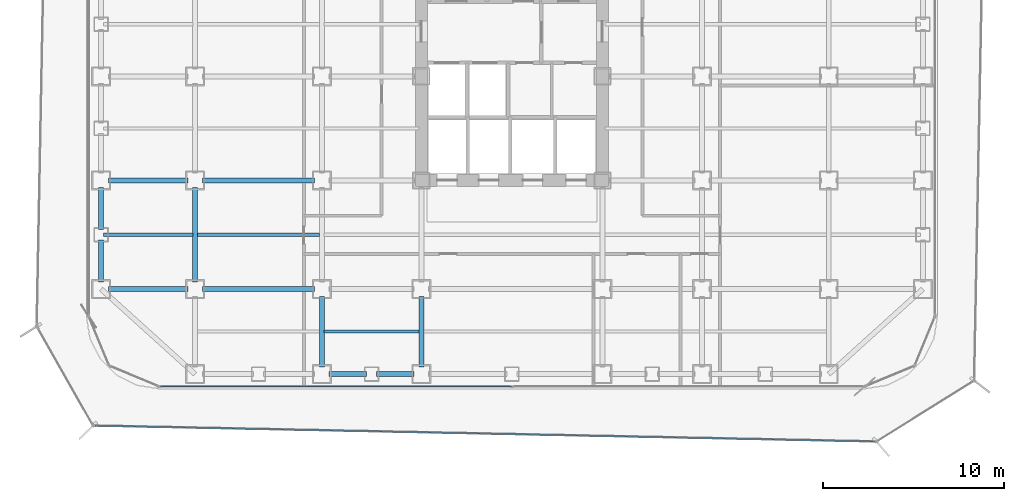
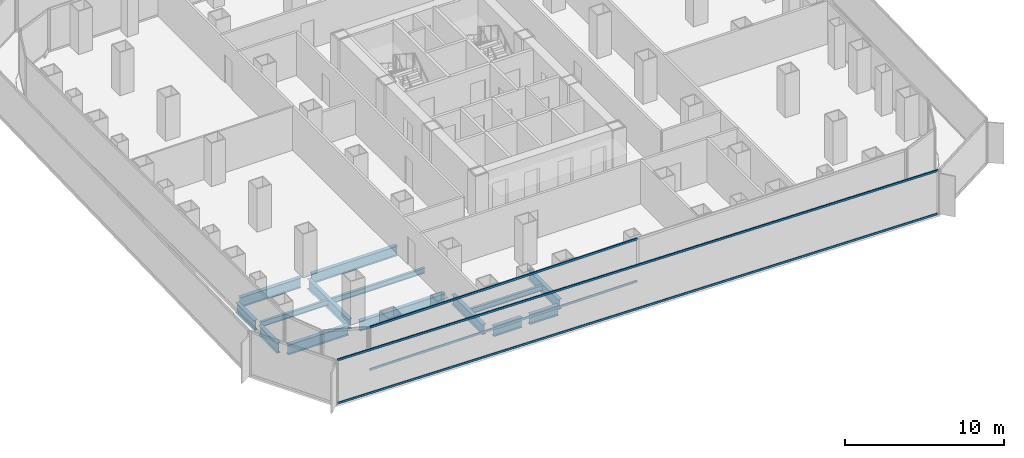
# One storey, part 3 of 21: 14 beams, 4 members, 2 elements without a shape of their own.
"""IFC4 building model written with IfcOpenShell, lengths in metres."""

from ifc_helpers import new_model, si_unit, direction, frame, origin, origin_2d, place, context, subcontext, project, spatial, hollow_rectangle, i_section, extrude, source, transform, mapped, material, layer, layer_set, material_profile, profile_set, type_object, element, aggregate, save


model = new_model("IFC4")

# Units and contexts
model_context = context("Model", 3, precision=1e-05, world=origin(), true_north=direction((0.0, 1.0)))
body_context = subcontext(model_context, "Body", "Model", "MODEL_VIEW")
ifc_project = project(units=[si_unit("LENGTHUNIT", "METRE"), si_unit("AREAUNIT", "SQUARE_METRE"), si_unit("VOLUMEUNIT", "CUBIC_METRE"), si_unit("PLANEANGLEUNIT", "RADIAN"), si_unit("MASSUNIT", "GRAM", prefix="KILO")], contexts=[model_context])

# Site, building, storey
site_placement = place(None, origin())
site = spatial("IfcSite", under=ifc_project, at=site_placement, CompositionType="ELEMENT")
building_placement = place(site_placement, origin())
building = spatial("IfcBuilding", under=site, at=building_placement, Name="Kolveth Station Tower", CompositionType="ELEMENT")
storey_placement = place(building_placement, frame((0.0, 0.0, 62.10009765625)))
storey = spatial("IfcBuildingStorey", under=building, at=storey_placement, Name="L16", CompositionType="ELEMENT", Elevation=62.10009765625)

# Beams
ifc_material_1 = material(Name="Steel S355", Category="steel")
ifc_material_profile_1 = material_profile(ifc_material_1, i_section(OverallWidth=0.26904296875, OverallDepth=0.77490234375, WebThickness=0.01708984375, FlangeThickness=0.0283203125, at=origin_2d()), Name="W760x220")
ifc_profile_set_1 = profile_set([ifc_material_profile_1], Name="Steel S355")
beam_type_1 = type_object("IfcBeamType", Name="Beam_SP1", PredefinedType="SPANDREL", material=ifc_profile_set_1)
shared_shape_1 = source(origin(), body_context, "Body", "SweptSolid", [
    extrude(i_section(OverallWidth=0.26904296875, OverallDepth=0.77490234375, WebThickness=0.01708984375, FlangeThickness=0.0283203125, at=origin_2d()), origin(), (0.0, 0.0, 1.0), 2.070068359375),
])
for number, where, z_axis, x_axis, name in (
    (1, (13.39990234375, 0.800048828125, -0.66748046875), (1.0, 0.0, 0.0), (0.0, 1.0, 0.0), "L16 Perimeter Spandrel BM-L16-PS-3"),
    (2, (16.030029296875, 0.800048828125, -0.66748046875), (1.0, 0.0, 0.0), (0.0, 1.0, 0.0), "L16 Perimeter Spandrel BM-L16-PS-4"),
):
    element("IfcBeam", number, at=place(storey_placement, frame(where, z_axis=z_axis, x_axis=x_axis)), inside=storey, type_object=beam_type_1, Name=name, PredefinedType="SPANDREL", context=body_context, shape_type="MappedRepresentation", body=[
        mapped(shared_shape_1, transform((0.0, 0.0, 0.0), x_axis=(1.0, 0.0, 0.0), y_axis=(0.0, 1.0, 0.0), z_axis=(0.0, 0.0, 1.0), scale=1.0)),
    ])
shared_shape_2 = source(origin(), body_context, "Body", "SweptSolid", [
    extrude(i_section(OverallWidth=0.26904296875, OverallDepth=0.77490234375, WebThickness=0.01708984375, FlangeThickness=0.0283203125, at=origin_2d()), origin(), (0.0, 0.0, 1.0), 2.320068359375),
])
for number, where, z_axis, x_axis, name in (
    (3, (0.800048828125, 5.89990234375, -0.66748046875), (0.0, 1.0, 0.0), (-1.0, 0.0, 0.0), "L16 Perimeter Spandrel BM-L16-PW-1"),
    (4, (0.800048828125, 8.780029296875, -0.66748046875), (0.0, 1.0, 0.0), (-1.0, 0.0, 0.0), "L16 Perimeter Spandrel BM-L16-PW-2"),
):
    element("IfcBeam", number, at=place(storey_placement, frame(where, z_axis=z_axis, x_axis=x_axis)), inside=storey, type_object=beam_type_1, Name=name, PredefinedType="SPANDREL", context=body_context, shape_type="MappedRepresentation", body=[
        mapped(shared_shape_2, transform((0.0, 0.0, 0.0), x_axis=(1.0, 0.0, 0.0), y_axis=(0.0, 1.0, 0.0), z_axis=(0.0, 0.0, 1.0), scale=1.0)),
    ])
ifc_material_profile_2 = material_profile(ifc_material_1, i_section(OverallWidth=0.26708984375, OverallDepth=0.76611328125, WebThickness=0.014892578125, FlangeThickness=0.023681640625, at=origin_2d()), Name="W760x185")
ifc_profile_set_2 = profile_set([ifc_material_profile_2], Name="Steel S355")
beam_type_2 = type_object("IfcBeamType", Name="Beam_B3", PredefinedType="BEAM", material=ifc_profile_set_2)
shared_shape_3 = source(origin(), body_context, "Body", "SweptSolid", [
    extrude(i_section(OverallWidth=0.26708984375, OverallDepth=0.76611328125, WebThickness=0.014892578125, FlangeThickness=0.023681640625, at=origin_2d()), origin(), (0.0, 0.0, 1.0), 4.400146484375),
])
for number, where, z_axis, x_axis, name in (
    (5, (1.199951171875, 5.5, -0.6630859375), (1.0, 0.0, 0.0), (0.0, 1.0, 0.0), "L16 Primary Girder BM-L16-GY55-1"),
    (6, (1.199951171875, 11.5, -0.6630859375), (1.0, 0.0, 0.0), (0.0, 1.0, 0.0), "L16 Primary Girder BM-L16-GY115-1"),
):
    element("IfcBeam", number, at=place(storey_placement, frame(where, z_axis=z_axis, x_axis=x_axis)), inside=storey, type_object=beam_type_2, Name=name, PredefinedType="BEAM", context=body_context, shape_type="MappedRepresentation", body=[
        mapped(shared_shape_3, transform((0.0, 0.0, 0.0), x_axis=(1.0, 0.0, 0.0), y_axis=(0.0, 1.0, 0.0), z_axis=(0.0, 0.0, 1.0), scale=1.0)),
    ])
shared_shape_4 = source(origin(), body_context, "Body", "SweptSolid", [
    extrude(i_section(OverallWidth=0.26708984375, OverallDepth=0.76611328125, WebThickness=0.014892578125, FlangeThickness=0.023681640625, at=origin_2d()), origin(), (0.0, 0.0, 1.0), 6.2001953125),
])
for number, where, z_axis, x_axis, name in (
    (7, (6.39990234375, 5.5, -0.6630859375), (1.0, 0.0, 0.0), (0.0, 1.0, 0.0), "L16 Primary Girder BM-L16-GY55-2"),
    (8, (6.39990234375, 11.5, -0.6630859375), (1.0, 0.0, 0.0), (0.0, 1.0, 0.0), "L16 Primary Girder BM-L16-GY115-2"),
):
    element("IfcBeam", number, at=place(storey_placement, frame(where, z_axis=z_axis, x_axis=x_axis)), inside=storey, type_object=beam_type_2, Name=name, PredefinedType="BEAM", context=body_context, shape_type="MappedRepresentation", body=[
        mapped(shared_shape_4, transform((0.0, 0.0, 0.0), x_axis=(1.0, 0.0, 0.0), y_axis=(0.0, 1.0, 0.0), z_axis=(0.0, 0.0, 1.0), scale=1.0)),
    ])
shared_shape_5 = source(origin(), body_context, "Body", "SweptSolid", [
    extrude(i_section(OverallWidth=0.26708984375, OverallDepth=0.76611328125, WebThickness=0.014892578125, FlangeThickness=0.023681640625, at=origin_2d()), origin(), (0.0, 0.0, 1.0), 3.900146484375),
])
for number, where, z_axis, x_axis, name in (
    (9, (13.0, 1.199951171875, -0.6630859375), (0.0, 1.0, 0.0), (-1.0, 0.0, 0.0), "L16 Primary Girder BM-L16-GX130-1"),
    (10, (18.5, 1.199951171875, -0.6630859375), (0.0, 1.0, 0.0), (-1.0, 0.0, 0.0), "L16 Primary Girder BM-L16-GX185-1"),
):
    element("IfcBeam", number, at=place(storey_placement, frame(where, z_axis=z_axis, x_axis=x_axis)), inside=storey, type_object=beam_type_2, Name=name, PredefinedType="BEAM", context=body_context, shape_type="MappedRepresentation", body=[
        mapped(shared_shape_5, transform((0.0, 0.0, 0.0), x_axis=(1.0, 0.0, 0.0), y_axis=(0.0, 1.0, 0.0), z_axis=(0.0, 0.0, 1.0), scale=1.0)),
    ])
shared_shape_6 = source(origin(), body_context, "Body", "SweptSolid", [
    extrude(i_section(OverallWidth=0.26708984375, OverallDepth=0.76611328125, WebThickness=0.014892578125, FlangeThickness=0.023681640625, at=origin_2d()), origin(), (0.0, 0.0, 1.0), 5.2001953125),
])
beam_1_placement = place(storey_placement, frame((6.0, 5.89990234375, -0.6630859375), z_axis=(0.0, 1.0, 0.0), x_axis=(-1.0, 0.0, 0.0)))
element("IfcBeam", 11, at=beam_1_placement, inside=storey, type_object=beam_type_2, Name="L16 Primary Girder BM-L16-GX60-2", PredefinedType="BEAM", context=body_context, shape_type="MappedRepresentation", body=[
    mapped(shared_shape_6, transform((0.0, 0.0, 0.0), x_axis=(1.0, 0.0, 0.0), y_axis=(0.0, 1.0, 0.0), z_axis=(0.0, 0.0, 1.0), scale=1.0)),
])
ifc_material_profile_3 = material_profile(ifc_material_1, i_section(OverallWidth=0.177978515625, OverallDepth=0.406982421875, WebThickness=0.0078125, FlangeThickness=0.0126953125, at=origin_2d()), Name="W410x60")
ifc_profile_set_3 = profile_set([ifc_material_profile_3], Name="Steel S355")
beam_type_3 = type_object("IfcBeamType", Name="Beam_J1", PredefinedType="JOIST", material=ifc_profile_set_3)
shared_shape_7 = source(origin(), body_context, "Body", "SweptSolid", [
    extrude(i_section(OverallWidth=0.177978515625, OverallDepth=0.406982421875, WebThickness=0.0078125, FlangeThickness=0.0126953125, at=origin_2d()), origin(), (0.0, 0.0, 1.0), 4.935791015625),
])
beam_2_placement = place(storey_placement, frame((0.9326171875, 8.5, -0.483642578125), z_axis=(1.0, 0.0, 0.0), x_axis=(0.0, 1.0, 0.0)))
element("IfcBeam", 12, at=beam_2_placement, inside=storey, type_object=beam_type_3, Name="L16 Secondary Joist JST-L16-1-2", PredefinedType="JOIST", context=body_context, shape_type="MappedRepresentation", body=[
    mapped(shared_shape_7, transform((0.0, 0.0, 0.0), x_axis=(1.0, 0.0, 0.0), y_axis=(0.0, 1.0, 0.0), z_axis=(0.0, 0.0, 1.0), scale=1.0)),
])
shared_shape_8 = source(origin(), body_context, "Body", "SweptSolid", [
    extrude(i_section(OverallWidth=0.177978515625, OverallDepth=0.406982421875, WebThickness=0.0078125, FlangeThickness=0.0126953125, at=origin_2d()), origin(), (0.0, 0.0, 1.0), 6.73681640625),
])
beam_3_placement = place(storey_placement, frame((6.131591796875, 8.5, -0.483642578125), z_axis=(1.0, 0.0, 0.0), x_axis=(0.0, 1.0, 0.0)))
element("IfcBeam", 13, at=beam_3_placement, inside=storey, type_object=beam_type_3, Name="L16 Secondary Joist JST-L16-2-2", PredefinedType="JOIST", context=body_context, shape_type="MappedRepresentation", body=[
    mapped(shared_shape_8, transform((0.0, 0.0, 0.0), x_axis=(1.0, 0.0, 0.0), y_axis=(0.0, 1.0, 0.0), z_axis=(0.0, 0.0, 1.0), scale=1.0)),
])
shared_shape_9 = source(origin(), body_context, "Body", "SweptSolid", [
    extrude(i_section(OverallWidth=0.177978515625, OverallDepth=0.406982421875, WebThickness=0.0078125, FlangeThickness=0.0126953125, at=origin_2d()), origin(), (0.0, 0.0, 1.0), 5.23681640625),
])
beam_4_placement = place(storey_placement, frame((13.131591796875, 3.14990234375, -0.483642578125), z_axis=(1.0, 0.0, 0.0), x_axis=(0.0, 1.0, 0.0)))
element("IfcBeam", 14, at=beam_4_placement, inside=storey, type_object=beam_type_3, Name="L16 Secondary Joist JST-L16-3-1", PredefinedType="JOIST", context=body_context, shape_type="MappedRepresentation", body=[
    mapped(shared_shape_9, transform((0.0, 0.0, 0.0), x_axis=(1.0, 0.0, 0.0), y_axis=(0.0, 1.0, 0.0), z_axis=(0.0, 0.0, 1.0), scale=1.0)),
])

# Curtain wall, members
ifc_material_2 = material(Name="Aluminium 6063-T6 and low-E dark glass", Category="aluminium")
ifc_layer_1 = layer(ifc_material_2, 0.179931640625)
ifc_layer_set_1 = layer_set([ifc_layer_1], Name="Aluminium 6063-T6 and low-E dark glass")
curtain_wall_type_1 = type_object("IfcCurtainWallType", Name="CurtainWall_CW-Z1", PredefinedType="NOTDEFINED", material=ifc_layer_set_1)
curtain_wall_1_placement = place(storey_placement, origin())
curtain_wall_1 = element("IfcCurtainWall", 15, at=curtain_wall_1_placement, inside=storey, type_object=curtain_wall_type_1, Name="L16 Inner Thermal Curtain Wall 12", PredefinedType="NOTDEFINED")
ifc_material_3 = material(Name="Black anodized aluminium 6063-T6", Category="aluminium")
ifc_material_profile_4 = material_profile(ifc_material_3, hollow_rectangle(XDim=0.074951171875, YDim=0.159912109375, WallThickness=0.0048828125, at=origin_2d()), Name="ALU-75x160x5")
ifc_profile_set_4 = profile_set([ifc_material_profile_4], Name="Black anodized aluminium 6063-T6")
member_type_1 = type_object("IfcMemberType", Name="Transom_TR1", PredefinedType="USERDEFINED", material=ifc_profile_set_4)
shared_shape_10 = source(origin(), body_context, "Body", "SweptSolid", [
    extrude(hollow_rectangle(XDim=0.074951171875, YDim=0.159912109375, WallThickness=0.0048828125, at=origin_2d()), origin(), (0.0, 0.0, 1.0), 19.387451171875),
])
member_1_placement = place(storey_placement, frame((4.074951171875, 0.1201171875, 0.037353515625), z_axis=(1.0, 0.0, 0.0), x_axis=(0.0, 1.0, 0.0)))
member_1 = element("IfcMember", 16, at=member_1_placement, type_object=member_type_1, Name="CW-Z1 transom 1.1", ObjectType="TRANSOM", PredefinedType="USERDEFINED", context=body_context, shape_type="MappedRepresentation", body=[
    mapped(shared_shape_10, transform((0.0, 0.0, 0.0), x_axis=(1.0, 0.0, 0.0), y_axis=(0.0, 1.0, 0.0), z_axis=(0.0, 0.0, 1.0), scale=1.0)),
])
member_2_placement = place(storey_placement, frame((4.074951171875, 0.1201171875, 3.282470703125), z_axis=(1.0, 0.0, 0.0), x_axis=(0.0, 1.0, 0.0)))
member_2 = element("IfcMember", 17, at=member_2_placement, type_object=member_type_1, Name="CW-Z1 transom 1.2", ObjectType="TRANSOM", PredefinedType="USERDEFINED", context=body_context, shape_type="MappedRepresentation", body=[
    mapped(shared_shape_10, transform((0.0, 0.0, 0.0), x_axis=(1.0, 0.0, 0.0), y_axis=(0.0, 1.0, 0.0), z_axis=(0.0, 0.0, 1.0), scale=1.0)),
])
aggregate(curtain_wall_1, [member_1, member_2])

ifc_material_4 = material(Name="Black anodized aluminium 6063-T6 and dark solar glass", Category="aluminium")
ifc_layer_2 = layer(ifc_material_4, 0.159912109375)
ifc_layer_set_2 = layer_set([ifc_layer_2], Name="Black anodized aluminium 6063-T6 and dark solar glass")
curtain_wall_type_2 = type_object("IfcCurtainWallType", Name="OUTER SKIN CW-OS", PredefinedType="NOTDEFINED", material=ifc_layer_set_2)
curtain_wall_2_placement = place(storey_placement, origin())
curtain_wall_2 = element("IfcCurtainWall", 18, at=curtain_wall_2_placement, inside=storey, type_object=curtain_wall_type_2, Name="L16 Outer Ventilated Skin Curtain Wall 8", PredefinedType="NOTDEFINED")
ifc_material_profile_5 = material_profile(ifc_material_3, hollow_rectangle(XDim=0.080078125, YDim=0.14990234375, WallThickness=0.0048828125, at=origin_2d()), Name="ALU-80x150x5")
ifc_profile_set_5 = profile_set([ifc_material_profile_5], Name="Black anodized aluminium 6063-T6")
member_type_2 = type_object("IfcMemberType", Name="Transom_TR-OS", PredefinedType="USERDEFINED", material=ifc_profile_set_5)
shared_shape_11 = source(origin(), body_context, "Body", "SweptSolid", [
    extrude(hollow_rectangle(XDim=0.080078125, YDim=0.14990234375, WallThickness=0.0048828125, at=origin_2d()), origin(), (0.0, 0.0, 1.0), 43.0986328125),
])
member_3_placement = place(storey_placement, frame((0.4560546875, -2.047119140625, 0.039794921875), z_axis=(0.999792734843, -0.020358962515, 0.0), x_axis=(0.020358962515, 0.999792734843, 0.0)))
member_3 = element("IfcMember", 19, at=member_3_placement, type_object=member_type_2, Name="CW-OS transom 1.1", ObjectType="TRANSOM", PredefinedType="USERDEFINED", context=body_context, shape_type="MappedRepresentation", body=[
    mapped(shared_shape_11, transform((0.0, 0.0, 0.0), x_axis=(1.0, 0.0, 0.0), y_axis=(0.0, 1.0, 0.0), z_axis=(0.0, 0.0, 1.0), scale=1.0)),
])
member_4_placement = place(storey_placement, frame((0.4560546875, -2.047119140625, 3.349853515625), z_axis=(0.999792734843, -0.020358962515, 0.0), x_axis=(0.020358962515, 0.999792734843, 0.0)))
member_4 = element("IfcMember", 20, at=member_4_placement, type_object=member_type_2, Name="CW-OS transom 1.2", ObjectType="TRANSOM", PredefinedType="USERDEFINED", context=body_context, shape_type="MappedRepresentation", body=[
    mapped(shared_shape_11, transform((0.0, 0.0, 0.0), x_axis=(1.0, 0.0, 0.0), y_axis=(0.0, 1.0, 0.0), z_axis=(0.0, 0.0, 1.0), scale=1.0)),
])
aggregate(curtain_wall_2, [member_3, member_4])

save(model, "model.ifc")
